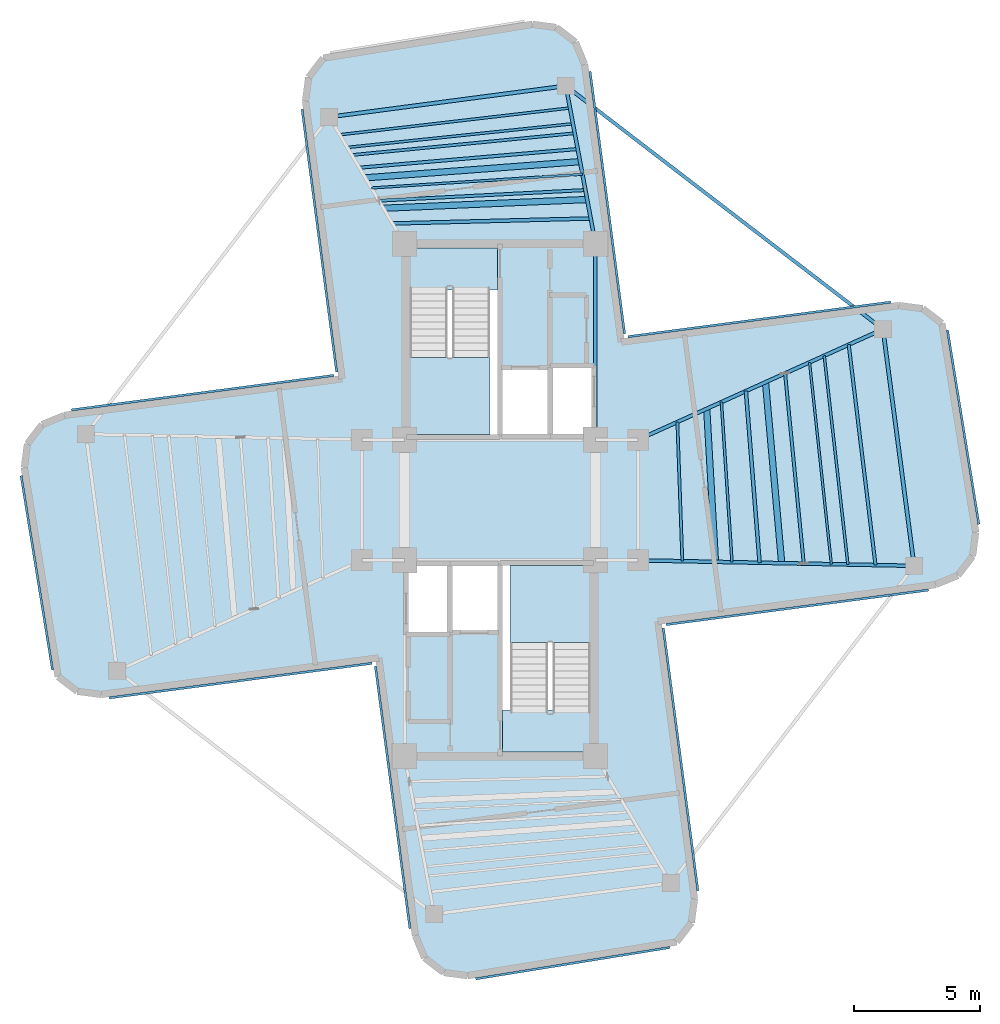
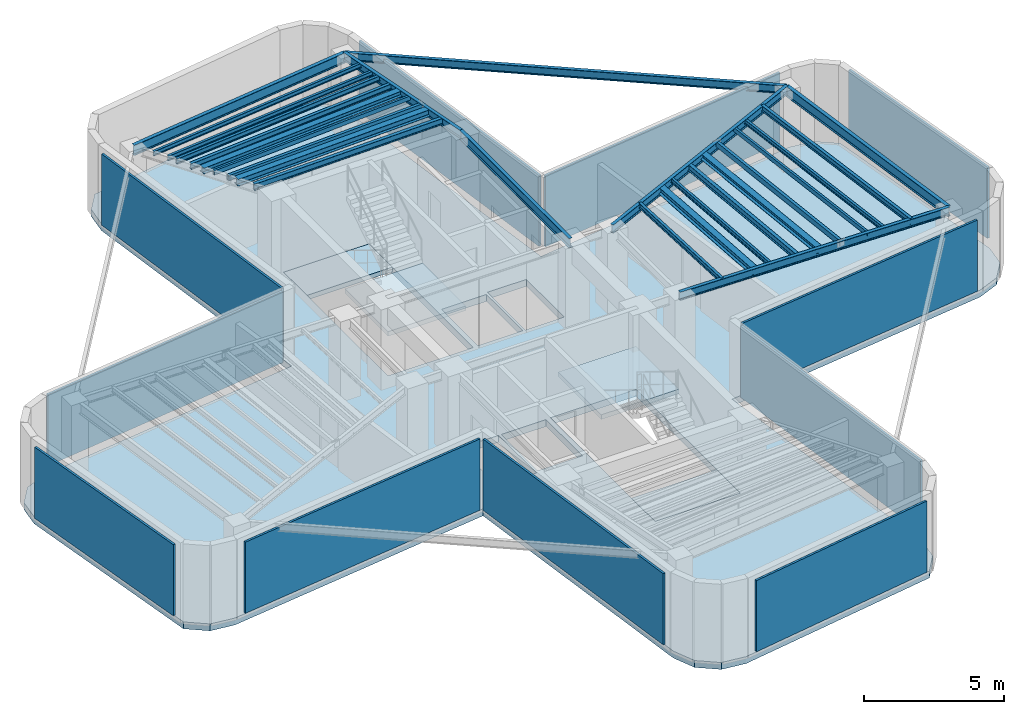
# One storey, part 2 of 6: 25 beams, 11 plates, 5 slabs, 2 elements without a shape of their own.
"""IFC4 building model written with IfcOpenShell, lengths in metres."""

from ifc_helpers import new_model, si_unit, direction, frame, origin, origin_2d, place, context, subcontext, project, spatial, polyline, rectangle, hollow_rectangle, i_section, outline, extrude, source, transform, mapped, material, layer, layer_set, material_profile, profile_set, type_object, element, aggregate, save


model = new_model("IFC4")

# Units and contexts
model_context = context("Model", 3, precision=1e-05, world=origin(), true_north=direction((0.0, 1.0)))
body_context = subcontext(model_context, "Body", "Model", "MODEL_VIEW")
ifc_project = project(units=[si_unit("LENGTHUNIT", "METRE"), si_unit("AREAUNIT", "SQUARE_METRE"), si_unit("VOLUMEUNIT", "CUBIC_METRE"), si_unit("PLANEANGLEUNIT", "RADIAN"), si_unit("MASSUNIT", "GRAM", prefix="KILO")], contexts=[model_context])

# Site, building, storey
site_placement = place(None, origin())
site = spatial("IfcSite", under=ifc_project, at=site_placement, CompositionType="ELEMENT")
building_placement = place(site_placement, origin())
building = spatial("IfcBuilding", under=site, at=building_placement, Name="Sahyath Konkavel Grand Hotel", CompositionType="ELEMENT")
storey_placement = place(building_placement, frame((0.0, 0.0, 285.10009765625)))
storey = spatial("IfcBuildingStorey", under=building, at=storey_placement, Name="L79", CompositionType="ELEMENT", Elevation=285.10009765625)

# Beams
ifc_material_1 = material(Name="Steel E350", Category="steel")
ifc_material_profile_1 = material_profile(ifc_material_1, i_section(OverallWidth=0.139892578125, OverallDepth=0.39990234375, WebThickness=0.0087890625, FlangeThickness=0.01611328125, FilletRadius=0.013916015625, at=origin_2d()), Name="ISMB 400")
ifc_profile_set_1 = profile_set([ifc_material_profile_1], Name="Steel E350")
beam_type_1 = type_object("IfcBeamType", Name="BM-ISMB400", PredefinedType="BEAM", material=ifc_profile_set_1)
shared_shape_1 = source(origin(), body_context, "Body", "SweptSolid", [
    extrude(i_section(OverallWidth=0.139892578125, OverallDepth=0.39990234375, WebThickness=0.0087890625, FlangeThickness=0.01611328125, FilletRadius=0.013916015625, at=origin_2d()), origin(), (0.0, 0.0, 1.0), 7.800048828125),
])
beam_1_placement = place(storey_placement, frame((3.800048828125, 2.39990234375, 3.2998046875), z_axis=(0.0, 1.0, 0.0), x_axis=(-1.0, 0.0, 0.0)))
element("IfcBeam", 1, at=beam_1_placement, inside=storey, type_object=beam_type_1, Name="str:bm:L79:NC-E", PredefinedType="BEAM", context=body_context, shape_type="MappedRepresentation", body=[
    mapped(shared_shape_1, transform((0.0, 0.0, 0.0), scale=1.0)),
])
ifc_material_profile_2 = material_profile(ifc_material_1, i_section(OverallWidth=0.14990234375, OverallDepth=0.449951171875, WebThickness=0.009521484375, FlangeThickness=0.017333984375, FilletRadius=0.014892578125, at=origin_2d()), Name="ISMB 450")
ifc_profile_set_2 = profile_set([ifc_material_profile_2], Name="Steel E350")
beam_type_2 = type_object("IfcBeamType", Name="BM-ISMB450", PredefinedType="BEAM", material=ifc_profile_set_2)
shared_shape_2 = source(origin(), body_context, "Body", "SweptSolid", [
    extrude(i_section(OverallWidth=0.14990234375, OverallDepth=0.449951171875, WebThickness=0.009521484375, FlangeThickness=0.017333984375, FilletRadius=0.014892578125, at=origin_2d()), origin(), (0.0, 0.0, 1.0), 9.5),
])
for number, where, z_axis, x_axis, name in (
    (2, (16.483154296875, -2.620849609375, 3.27490234375), (-0.130525643939, 0.991444933556, 0.0), (-0.991444933556, -0.130525643939, 0.0), "L79 Wing Tip Edge Beam E"),
    (3, (2.620849609375, 16.483154296875, 3.27490234375), (-0.991444933556, -0.130525643939, 0.0), (0.130525643939, -0.991444933556, 0.0), "L79 Wing Tip Edge Beam N"),
):
    element("IfcBeam", number, at=place(storey_placement, frame(where, z_axis=z_axis, x_axis=x_axis)), inside=storey, type_object=beam_type_2, Name=name, PredefinedType="BEAM", context=body_context, shape_type="MappedRepresentation", body=[
        mapped(shared_shape_2, transform((0.0, 0.0, 0.0), scale=1.0)),
    ])
ifc_material_profile_3 = material_profile(ifc_material_1, i_section(OverallWidth=0.139892578125, OverallDepth=0.35009765625, WebThickness=0.008056640625, FlangeThickness=0.01416015625, FilletRadius=0.013916015625, at=origin_2d()), Name="ISMB 350")
ifc_profile_set_3 = profile_set([ifc_material_profile_3], Name="Steel E350")
beam_type_3 = type_object("IfcBeamType", Name="BM-ISMB350", PredefinedType="BEAM", material=ifc_profile_set_3)
shared_shape_3 = source(origin(), body_context, "Body", "SweptSolid", [
    extrude(i_section(OverallWidth=0.139892578125, OverallDepth=0.35009765625, WebThickness=0.008056640625, FlangeThickness=0.01416015625, FilletRadius=0.013916015625, at=origin_2d()), origin(), (0.0, 0.0, 1.0), 10.9853515625),
])
beam_2_placement = place(storey_placement, frame((5.5, -2.39990234375, 3.324951171875), z_axis=(0.999797716106, -0.020112853337, 0.0), x_axis=(0.020112853337, 0.999797716106, 0.0)))
element("IfcBeam", 4, at=beam_2_placement, inside=storey, type_object=beam_type_3, Name="L79 Cruciform Radial Girder EA", PredefinedType="BEAM", context=body_context, shape_type="MappedRepresentation", body=[
    mapped(shared_shape_3, transform((0.0, 0.0, 0.0), scale=1.0)),
])
shared_shape_4 = source(origin(), body_context, "Body", "SweptSolid", [
    extrude(i_section(OverallWidth=0.139892578125, OverallDepth=0.35009765625, WebThickness=0.008056640625, FlangeThickness=0.01416015625, FilletRadius=0.013916015625, at=origin_2d()), origin(), (0.0, 0.0, 1.0), 10.689697265625),
])
beam_3_placement = place(storey_placement, frame((5.5, 2.39990234375, 3.324951171875), z_axis=(0.911447410295, 0.411416599405, 0.0), x_axis=(-0.411416599405, 0.911447410295, 0.0)))
element("IfcBeam", 5, at=beam_3_placement, inside=storey, type_object=beam_type_3, Name="L79 Cruciform Radial Girder EB", PredefinedType="BEAM", context=body_context, shape_type="MappedRepresentation", body=[
    mapped(shared_shape_4, transform((0.0, 0.0, 0.0), scale=1.0)),
])
shared_shape_5 = source(origin(), body_context, "Body", "SweptSolid", [
    extrude(i_section(OverallWidth=0.139892578125, OverallDepth=0.35009765625, WebThickness=0.008056640625, FlangeThickness=0.01416015625, FilletRadius=0.013916015625, at=origin_2d()), origin(), (0.0, 0.0, 1.0), 6.392822265625),
])
beam_4_placement = place(storey_placement, frame((3.800048828125, 10.199951171875, 3.324951171875), z_axis=(-0.184454547999, 0.982841044993, 0.0), x_axis=(-0.982841044993, -0.184454547999, 0.0)))
element("IfcBeam", 6, at=beam_4_placement, inside=storey, type_object=beam_type_3, Name="L79 Cruciform Radial Girder NA", PredefinedType="BEAM", context=body_context, shape_type="MappedRepresentation", body=[
    mapped(shared_shape_5, transform((0.0, 0.0, 0.0), scale=1.0)),
])
shared_shape_6 = source(origin(), body_context, "Body", "SweptSolid", [
    extrude(i_section(OverallWidth=0.139892578125, OverallDepth=0.35009765625, WebThickness=0.008056640625, FlangeThickness=0.01416015625, FilletRadius=0.013916015625, at=origin_2d()), origin(), (0.0, 0.0, 1.0), 15.909912109375),
])
beam_5_placement = place(storey_placement, frame((15.2431640625, 6.7978515625, 3.324951171875), z_axis=(-0.79335758392, 0.608755898564, 0.0), x_axis=(-0.608755898564, -0.79335758392, 0.0)))
element("IfcBeam", 7, at=beam_5_placement, inside=storey, type_object=beam_type_3, Name="L79 Re-Entrant Tie Beam NE", PredefinedType="BEAM", context=body_context, shape_type="MappedRepresentation", body=[
    mapped(shared_shape_6, transform((0.0, 0.0, 0.0), scale=1.0)),
])
ifc_material_profile_4 = material_profile(ifc_material_1, i_section(OverallWidth=0.25, OverallDepth=0.300048828125, WebThickness=0.009521484375, FlangeThickness=0.010498046875, FilletRadius=0.010986328125, at=origin_2d()), Name="ISHB 300")
ifc_profile_set_4 = profile_set([ifc_material_profile_4], Name="Steel E350")
beam_type_4 = type_object("IfcBeamType", Name="BM-ISHB300", PredefinedType="BEAM", material=ifc_profile_set_4)
shared_shape_7 = source(origin(), body_context, "Body", "SweptSolid", [
    extrude(i_section(OverallWidth=0.25, OverallDepth=0.300048828125, WebThickness=0.009521484375, FlangeThickness=0.010498046875, FilletRadius=0.010986328125, at=origin_2d()), origin(), (0.0, 0.0, 1.0), 6.10302734375),
])
beam_6_placement = place(storey_placement, frame((8.5751953125, -2.4619140625, 3.349853515625), z_axis=(-0.056883465537, 0.99838082481, 0.0), x_axis=(-0.99838082481, -0.056883465537, 0.0)))
element("IfcBeam", 8, at=beam_6_placement, inside=storey, type_object=beam_type_4, Name="L79 Secondary Floor Beam E-1", PredefinedType="BEAM", context=body_context, shape_type="MappedRepresentation", body=[
    mapped(shared_shape_7, transform((0.0, 0.0, 0.0), scale=1.0)),
])
ifc_material_profile_5 = material_profile(ifc_material_1, i_section(OverallWidth=0.25, OverallDepth=0.25, WebThickness=0.0087890625, FlangeThickness=0.009765625, FilletRadius=0.010009765625, at=origin_2d()), Name="ISHB 250")
ifc_profile_set_5 = profile_set([ifc_material_profile_5], Name="Steel E350")
beam_type_5 = type_object("IfcBeamType", Name="BM-ISHB250", PredefinedType="BEAM", material=ifc_profile_set_5)
shared_shape_8 = source(origin(), body_context, "Body", "SweptSolid", [
    extrude(i_section(OverallWidth=0.25, OverallDepth=0.25, WebThickness=0.0087890625, FlangeThickness=0.009765625, FilletRadius=0.010009765625, at=origin_2d()), origin(), (0.0, 0.0, 1.0), 7.230712890625),
])
beam_7_placement = place(storey_placement, frame((11.211181640625, -2.514892578125, 3.375), z_axis=(-0.089171800482, 0.996016259907, 0.0), x_axis=(-0.996016259907, -0.089171800482, 0.0)))
element("IfcBeam", 9, at=beam_7_placement, inside=storey, type_object=beam_type_5, Name="L79 Secondary Floor Beam E-2", PredefinedType="BEAM", context=body_context, shape_type="MappedRepresentation", body=[
    mapped(shared_shape_8, transform((0.0, 0.0, 0.0), scale=1.0)),
])
ifc_material_profile_6 = material_profile(ifc_material_1, i_section(OverallWidth=0.10009765625, OverallDepth=0.199951171875, WebThickness=0.005615234375, FlangeThickness=0.0107421875, FilletRadius=0.010986328125, at=origin_2d()), Name="ISMB 200")
ifc_profile_set_6 = profile_set([ifc_material_profile_6], Name="Steel E350")
beam_type_6 = type_object("IfcBeamType", Name="BM-ISMB200", PredefinedType="BEAM", material=ifc_profile_set_6)
shared_shape_9 = source(origin(), body_context, "Body", "SweptSolid", [
    extrude(i_section(OverallWidth=0.10009765625, OverallDepth=0.199951171875, WebThickness=0.005615234375, FlangeThickness=0.0107421875, FilletRadius=0.010986328125, at=origin_2d()), origin(), (0.0, 0.0, 1.0), 8.36328125),
])
beam_8_placement = place(storey_placement, frame((13.84716796875, -2.56787109375, 3.39990234375), z_axis=(-0.112680437677, 0.99363127918, 0.0), x_axis=(-0.99363127918, -0.112680437677, 0.0)))
element("IfcBeam", 10, at=beam_8_placement, inside=storey, type_object=beam_type_6, Name="L79 Secondary Floor Beam E-3", PredefinedType="BEAM", context=body_context, shape_type="MappedRepresentation", body=[
    mapped(shared_shape_9, transform((0.0, 0.0, 0.0), scale=1.0)),
])
shared_shape_10 = source(origin(), body_context, "Body", "SweptSolid", [
    extrude(i_section(OverallWidth=0.25, OverallDepth=0.300048828125, WebThickness=0.009521484375, FlangeThickness=0.010498046875, FilletRadius=0.010986328125, at=origin_2d()), origin(), (0.0, 0.0, 1.0), 8.11669921875),
])
beam_9_placement = place(storey_placement, frame((3.469970703125, 11.959228515625, 3.349853515625), z_axis=(-0.999084879956, -0.042771516718, 0.0), x_axis=(0.042771516718, -0.999084879956, 0.0)))
element("IfcBeam", 11, at=beam_9_placement, inside=storey, type_object=beam_type_4, Name="L79 Secondary Floor Beam N-1", PredefinedType="BEAM", context=body_context, shape_type="MappedRepresentation", body=[
    mapped(shared_shape_10, transform((0.0, 0.0, 0.0), scale=1.0)),
])
shared_shape_11 = source(origin(), body_context, "Body", "SweptSolid", [
    extrude(i_section(OverallWidth=0.25, OverallDepth=0.25, WebThickness=0.0087890625, FlangeThickness=0.009765625, FilletRadius=0.010009765625, at=origin_2d()), origin(), (0.0, 0.0, 1.0), 8.570068359375),
])
beam_10_placement = place(storey_placement, frame((3.18701171875, 13.46728515625, 3.375), z_axis=(-0.997165854664, -0.075234688098, 0.0), x_axis=(0.075234688098, -0.997165854664, 0.0)))
element("IfcBeam", 12, at=beam_10_placement, inside=storey, type_object=beam_type_5, Name="L79 Secondary Floor Beam N-2", PredefinedType="BEAM", context=body_context, shape_type="MappedRepresentation", body=[
    mapped(shared_shape_11, transform((0.0, 0.0, 0.0), scale=1.0)),
])
shared_shape_12 = source(origin(), body_context, "Body", "SweptSolid", [
    extrude(i_section(OverallWidth=0.10009765625, OverallDepth=0.199951171875, WebThickness=0.005615234375, FlangeThickness=0.0107421875, FilletRadius=0.010986328125, at=origin_2d()), origin(), (0.0, 0.0, 1.0), 9.031494140625),
])
beam_11_placement = place(storey_placement, frame((2.90380859375, 14.97509765625, 3.39990234375), z_axis=(-0.994541240043, -0.104344246869, 0.0), x_axis=(0.104344246869, -0.994541240043, 0.0)))
element("IfcBeam", 13, at=beam_11_placement, inside=storey, type_object=beam_type_6, Name="L79 Secondary Floor Beam N-3", PredefinedType="BEAM", context=body_context, shape_type="MappedRepresentation", body=[
    mapped(shared_shape_12, transform((0.0, 0.0, 0.0), scale=1.0)),
])
ifc_material_profile_7 = material_profile(ifc_material_1, i_section(OverallWidth=0.110107421875, OverallDepth=0.22509765625, WebThickness=0.006591796875, FlangeThickness=0.01171875, FilletRadius=0.011962890625, at=origin_2d()), Name="ISMB 225")
ifc_profile_set_7 = profile_set([ifc_material_profile_7], Name="Steel E350")
beam_type_7 = type_object("IfcBeamType", Name="BM-ISMB225", PredefinedType="BEAM", material=ifc_profile_set_7)
shared_shape_13 = source(origin(), body_context, "Body", "SweptSolid", [
    extrude(i_section(OverallWidth=0.110107421875, OverallDepth=0.22509765625, WebThickness=0.006591796875, FlangeThickness=0.01171875, FilletRadius=0.011962890625, at=origin_2d()), origin(), (0.0, 0.0, 1.0), 5.54248046875),
])
beam_12_placement = place(storey_placement, frame((7.25732421875, -2.435302734375, 3.387451171875), z_axis=(-0.035812512973, 0.999358526213, 0.0), x_axis=(-0.999358526213, -0.035812512973, 0.0)))
element("IfcBeam", 14, at=beam_12_placement, inside=storey, type_object=beam_type_7, Name="L79 Composite Deck Sub-Beam E-1", PredefinedType="BEAM", context=body_context, shape_type="MappedRepresentation", body=[
    mapped(shared_shape_13, transform((0.0, 0.0, 0.0), scale=1.0)),
])
shared_shape_14 = source(origin(), body_context, "Body", "SweptSolid", [
    extrude(i_section(OverallWidth=0.10009765625, OverallDepth=0.199951171875, WebThickness=0.005615234375, FlangeThickness=0.0107421875, FilletRadius=0.010986328125, at=origin_2d()), origin(), (0.0, 0.0, 1.0), 6.38427734375),
])
beam_13_placement = place(storey_placement, frame((9.234375, -2.47509765625, 3.39990234375), z_axis=(-0.066041839115, 0.997816854681, 0.0), x_axis=(-0.997816854681, -0.066041839115, 0.0)))
element("IfcBeam", 15, at=beam_13_placement, inside=storey, type_object=beam_type_6, Name="L79 Composite Deck Sub-Beam E-2", PredefinedType="BEAM", context=body_context, shape_type="MappedRepresentation", body=[
    mapped(shared_shape_14, transform((0.0, 0.0, 0.0), scale=1.0)),
])
ifc_material_profile_8 = material_profile(ifc_material_1, i_section(OverallWidth=0.139892578125, OverallDepth=0.27490234375, WebThickness=0.00634765625, FlangeThickness=0.0087890625, FilletRadius=0.012939453125, at=origin_2d()), Name="ISLB 275")
ifc_profile_set_8 = profile_set([ifc_material_profile_8], Name="Steel E350")
beam_type_8 = type_object("IfcBeamType", Name="BM-ISLB275", PredefinedType="BEAM", material=ifc_profile_set_8)
shared_shape_15 = source(origin(), body_context, "Body", "SweptSolid", [
    extrude(i_section(OverallWidth=0.139892578125, OverallDepth=0.27490234375, WebThickness=0.00634765625, FlangeThickness=0.0087890625, FilletRadius=0.012939453125, at=origin_2d()), origin(), (0.0, 0.0, 1.0), 6.85400390625),
])
beam_14_placement = place(storey_placement, frame((10.33251953125, -2.497314453125, 3.3623046875), z_axis=(-0.079575331875, 0.996828855199, 0.0), x_axis=(-0.996828855199, -0.079575331875, 0.0)))
element("IfcBeam", 16, at=beam_14_placement, inside=storey, type_object=beam_type_8, Name="L79 Composite Deck Sub-Beam E-3", PredefinedType="BEAM", context=body_context, shape_type="MappedRepresentation", body=[
    mapped(shared_shape_15, transform((0.0, 0.0, 0.0), scale=1.0)),
])
ifc_material_profile_9 = material_profile(ifc_material_1, hollow_rectangle(XDim=0.1201171875, YDim=0.219970703125, WallThickness=0.010009765625, at=origin_2d()), Name="RHS 220x120x10")
ifc_profile_set_9 = profile_set([ifc_material_profile_9], Name="Steel E350")
beam_type_9 = type_object("IfcBeamType", Name="BM-RHS220", PredefinedType="BEAM", material=ifc_profile_set_9)
shared_shape_16 = source(origin(), body_context, "Body", "SweptSolid", [
    extrude(hollow_rectangle(XDim=0.1201171875, YDim=0.219970703125, WallThickness=0.010009765625, at=origin_2d()), origin(), (0.0, 0.0, 1.0), 7.607666015625),
])
beam_15_placement = place(storey_placement, frame((12.08984375, -2.532470703125, 3.389892578125), z_axis=(-0.09778145576, 0.995207911398, 0.0), x_axis=(-0.995207911398, -0.09778145576, 0.0)))
element("IfcBeam", 17, at=beam_15_placement, inside=storey, type_object=beam_type_9, Name="L79 Composite Deck Sub-Beam E-4", PredefinedType="BEAM", context=body_context, shape_type="MappedRepresentation", body=[
    mapped(shared_shape_16, transform((0.0, 0.0, 0.0), scale=1.0)),
])
ifc_material_profile_10 = material_profile(ifc_material_1, hollow_rectangle(XDim=0.090087890625, YDim=0.179931640625, WallThickness=0.008056640625, at=origin_2d()), Name="RHS 180x90x8")
ifc_profile_set_10 = profile_set([ifc_material_profile_10], Name="Steel E350")
beam_type_10 = type_object("IfcBeamType", Name="BM-RHS180", PredefinedType="BEAM", material=ifc_profile_set_10)
shared_shape_17 = source(origin(), body_context, "Body", "SweptSolid", [
    extrude(hollow_rectangle(XDim=0.090087890625, YDim=0.179931640625, WallThickness=0.008056640625, at=origin_2d()), origin(), (0.0, 0.0, 1.0), 8.079833984375),
])
beam_16_placement = place(storey_placement, frame((13.188232421875, -2.5546875, 3.409912109375), z_axis=(-0.107416459243, 0.994214113903, 0.0), x_axis=(-0.994214113903, -0.107416459243, 0.0)))
element("IfcBeam", 18, at=beam_16_placement, inside=storey, type_object=beam_type_10, Name="L79 Composite Deck Sub-Beam E-5", PredefinedType="BEAM", context=body_context, shape_type="MappedRepresentation", body=[
    mapped(shared_shape_17, transform((0.0, 0.0, 0.0), scale=1.0)),
])
ifc_material_profile_11 = material_profile(ifc_material_1, i_section(OverallWidth=0.125, OverallDepth=0.25, WebThickness=0.0068359375, FlangeThickness=0.012451171875, FilletRadius=0.012939453125, at=origin_2d()), Name="ISMB 250")
ifc_profile_set_11 = profile_set([ifc_material_profile_11], Name="Steel E350")
beam_type_11 = type_object("IfcBeamType", Name="BM-ISMB250", PredefinedType="BEAM", material=ifc_profile_set_11)
shared_shape_18 = source(origin(), body_context, "Body", "SweptSolid", [
    extrude(i_section(OverallWidth=0.125, OverallDepth=0.25, WebThickness=0.0068359375, FlangeThickness=0.012451171875, FilletRadius=0.012939453125, at=origin_2d()), origin(), (0.0, 0.0, 1.0), 8.8369140625),
])
beam_17_placement = place(storey_placement, frame((14.945556640625, -2.590087890625, 3.375), z_axis=(-0.120677894343, 0.992691717411, 0.0), x_axis=(-0.992691717411, -0.120677894343, 0.0)))
element("IfcBeam", 19, at=beam_17_placement, inside=storey, type_object=beam_type_11, Name="L79 Composite Deck Sub-Beam E-6", PredefinedType="BEAM", context=body_context, shape_type="MappedRepresentation", body=[
    mapped(shared_shape_18, transform((0.0, 0.0, 0.0), scale=1.0)),
])
shared_shape_19 = source(origin(), body_context, "Body", "SweptSolid", [
    extrude(i_section(OverallWidth=0.139892578125, OverallDepth=0.27490234375, WebThickness=0.00634765625, FlangeThickness=0.0087890625, FilletRadius=0.012939453125, at=origin_2d()), origin(), (0.0, 0.0, 1.0), 7.893310546875),
])
beam_18_placement = place(storey_placement, frame((3.611328125, 11.205322265625, 3.3623046875), z_axis=(-0.999683790083, -0.025145970772, 0.0), x_axis=(0.025145970772, -0.999683790083, 0.0)))
element("IfcBeam", 20, at=beam_18_placement, inside=storey, type_object=beam_type_8, Name="L79 Composite Deck Sub-Beam N-1", PredefinedType="BEAM", context=body_context, shape_type="MappedRepresentation", body=[
    mapped(shared_shape_19, transform((0.0, 0.0, 0.0), scale=1.0)),
])
shared_shape_20 = source(origin(), body_context, "Body", "SweptSolid", [
    extrude(hollow_rectangle(XDim=0.1201171875, YDim=0.219970703125, WallThickness=0.010009765625, at=origin_2d()), origin(), (0.0, 0.0, 1.0), 8.229248046875),
])
beam_19_placement = place(storey_placement, frame((3.399169921875, 12.336181640625, 3.389892578125), z_axis=(-0.998688130329, -0.051205647534, 0.0), x_axis=(0.051205647534, -0.998688130329, 0.0)))
element("IfcBeam", 21, at=beam_19_placement, inside=storey, type_object=beam_type_9, Name="L79 Composite Deck Sub-Beam N-2", PredefinedType="BEAM", context=body_context, shape_type="MappedRepresentation", body=[
    mapped(shared_shape_20, transform((0.0, 0.0, 0.0), scale=1.0)),
])
shared_shape_21 = source(origin(), body_context, "Body", "SweptSolid", [
    extrude(hollow_rectangle(XDim=0.090087890625, YDim=0.179931640625, WallThickness=0.008056640625, at=origin_2d()), origin(), (0.0, 0.0, 1.0), 8.41796875),
])
beam_20_placement = place(storey_placement, frame((3.28125, 12.964599609375, 3.409912109375), z_axis=(-0.997896901011, -0.064821099595, 0.0), x_axis=(0.064821099595, -0.997896901011, 0.0)))
element("IfcBeam", 22, at=beam_20_placement, inside=storey, type_object=beam_type_10, Name="L79 Composite Deck Sub-Beam N-3", PredefinedType="BEAM", context=body_context, shape_type="MappedRepresentation", body=[
    mapped(shared_shape_21, transform((0.0, 0.0, 0.0), scale=1.0)),
])
shared_shape_22 = source(origin(), body_context, "Body", "SweptSolid", [
    extrude(i_section(OverallWidth=0.125, OverallDepth=0.25, WebThickness=0.0068359375, FlangeThickness=0.012451171875, FilletRadius=0.012939453125, at=origin_2d()), origin(), (0.0, 0.0, 1.0), 8.722900390625),
])
beam_21_placement = place(storey_placement, frame((3.092529296875, 13.969970703125, 3.375), z_axis=(-0.996354605721, -0.085308262542, 0.0), x_axis=(0.085308262542, -0.996354605721, 0.0)))
element("IfcBeam", 23, at=beam_21_placement, inside=storey, type_object=beam_type_11, Name="L79 Composite Deck Sub-Beam N-4", PredefinedType="BEAM", context=body_context, shape_type="MappedRepresentation", body=[
    mapped(shared_shape_22, transform((0.0, 0.0, 0.0), scale=1.0)),
])
shared_shape_23 = source(origin(), body_context, "Body", "SweptSolid", [
    extrude(i_section(OverallWidth=0.110107421875, OverallDepth=0.22509765625, WebThickness=0.006591796875, FlangeThickness=0.01171875, FilletRadius=0.011962890625, at=origin_2d()), origin(), (0.0, 0.0, 1.0), 8.915283203125),
])
beam_22_placement = place(storey_placement, frame((2.974609375, 14.59814453125, 3.387451171875), z_axis=(-0.995250138935, -0.097350711092, 0.0), x_axis=(0.097350711092, -0.995250138935, 0.0)))
element("IfcBeam", 24, at=beam_22_placement, inside=storey, type_object=beam_type_7, Name="L79 Composite Deck Sub-Beam N-5", PredefinedType="BEAM", context=body_context, shape_type="MappedRepresentation", body=[
    mapped(shared_shape_23, transform((0.0, 0.0, 0.0), scale=1.0)),
])
shared_shape_24 = source(origin(), body_context, "Body", "SweptSolid", [
    extrude(i_section(OverallWidth=0.10009765625, OverallDepth=0.199951171875, WebThickness=0.005615234375, FlangeThickness=0.0107421875, FilletRadius=0.010986328125, at=origin_2d()), origin(), (0.0, 0.0, 1.0), 9.225830078125),
])
beam_23_placement = place(storey_placement, frame((2.785888671875, 15.603515625, 3.39990234375), z_axis=(-0.993297209422, -0.115588294191, 0.0), x_axis=(0.115588294191, -0.993297209422, 0.0)))
element("IfcBeam", 25, at=beam_23_placement, inside=storey, type_object=beam_type_6, Name="L79 Composite Deck Sub-Beam N-6", PredefinedType="BEAM", context=body_context, shape_type="MappedRepresentation", body=[
    mapped(shared_shape_24, transform((0.0, 0.0, 0.0), scale=1.0)),
])

# Slab
ifc_material_2 = material(Name="Concrete C40/50", Category="concrete")
ifc_layer_1 = layer(ifc_material_2, 0.300048828125)
ifc_layer_set_1 = layer_set([ifc_layer_1], Name="Concrete C40/50")
slab_type_1 = type_object("IfcSlabType", Name="SLB-300", PredefinedType="FLOOR", material=ifc_layer_set_1)
slab_1_placement = place(storey_placement, frame((0.0, 0.0, -0.300048828125)))
element("IfcSlab", 26, at=slab_1_placement, inside=storey, type_object=slab_type_1, Name="L79 Structural Floor Slab", PredefinedType="FLOOR", context=body_context, shape_type="SweptSolid", body=[
    extrude(outline(polyline([(6.282958984375, -4.821044921875), (17.337646484375, -3.36572265625), (18.222412109375, -2.999267578125), (18.805419921875, -2.239501953125), (18.930419921875, -1.2900390625), (17.5849609375, 7.030517578125), (16.8251953125, 7.61328125), (15.875732421875, 7.73828125), (4.821044921875, 6.282958984375), (3.36572265625, 17.337646484375), (2.999267578125, 18.222412109375), (2.239501953125, 18.805419921875), (1.2900390625, 18.930419921875), (-7.030517578125, 17.5849609375), (-7.61328125, 16.8251953125), (-7.73828125, 15.875732421875), (-6.282958984375, 4.821044921875), (-17.337646484375, 3.36572265625), (-18.222412109375, 2.999267578125), (-18.805419921875, 2.239501953125), (-18.930419921875, 1.2900390625), (-17.5849609375, -7.030517578125), (-16.8251953125, -7.61328125), (-15.875732421875, -7.73828125), (-4.821044921875, -6.282958984375), (-3.36572265625, -17.337646484375), (-2.999267578125, -18.222412109375), (-2.239501953125, -18.805419921875), (-1.2900390625, -18.930419921875), (7.030517578125, -17.5849609375), (7.61328125, -16.8251953125), (7.73828125, -15.875732421875), (6.282958984375, -4.821044921875)]), holes=[polyline([(-3.6201171875, 2.580078125), (-0.10009765625, 2.580078125), (-0.10009765625, 10.02001953125), (-3.6201171875, 10.02001953125), (-3.6201171875, 2.580078125)]), polyline([(0.10009765625, -10.02001953125), (3.6201171875, -10.02001953125), (3.6201171875, -2.580078125), (0.10009765625, -2.580078125), (0.10009765625, -10.02001953125)]), polyline([(0.10009765625, 2.60009765625), (1.949951171875, 2.60009765625), (1.949951171875, 5.199951171875), (0.10009765625, 5.199951171875), (0.10009765625, 2.60009765625)]), polyline([(-1.949951171875, -5.199951171875), (-0.10009765625, -5.199951171875), (-0.10009765625, -2.60009765625), (-1.949951171875, -2.60009765625), (-1.949951171875, -5.199951171875)]), polyline([(2.050048828125, 2.60009765625), (3.64990234375, 2.60009765625), (3.64990234375, 5.300048828125), (2.050048828125, 5.300048828125), (2.050048828125, 2.60009765625)]), polyline([(-3.64990234375, -5.300048828125), (-2.050048828125, -5.300048828125), (-2.050048828125, -2.60009765625), (-3.64990234375, -2.60009765625), (-3.64990234375, -5.300048828125)])]), origin(), (0.0, 0.0, 1.0), 0.300048828125),
])

# Stair, slab
stair_type = type_object("IfcStairType", Name="STR-ST16-380", PredefinedType="HALF_TURN_STAIR", material=ifc_material_2)
stair_1_placement = place(storey_placement, origin())
stair_1 = element("IfcStair", 27, at=stair_1_placement, inside=storey, type_object=stair_type, Name="L79 North Core Smokeproof Exit Stair ST-1", PredefinedType="HALF_TURN_STAIR")
ifc_layer_2 = layer(ifc_material_2, 0.199951171875)
ifc_layer_set_2 = layer_set([ifc_layer_2], Name="Concrete C40/50")
slab_type_2 = type_object("IfcSlabType", Name="SLB-STAIR-LND", PredefinedType="LANDING", material=ifc_layer_set_2)
slab_2_placement = place(storey_placement, frame((0.0, 0.0, 1.699951171875)))
slab_2 = element("IfcSlab", 28, at=slab_2_placement, type_object=slab_type_2, Name="ST-1 landing 1", PredefinedType="LANDING", context=body_context, shape_type="SweptSolid", body=[
    extrude(outline(polyline([(-3.60009765625, 5.679931640625), (-3.60009765625, 2.60009765625), (-0.39990234375, 2.60009765625), (-0.39990234375, 5.679931640625), (-3.60009765625, 5.679931640625)])), origin(), (0.0, 0.0, 1.0), 0.199951171875),
])
aggregate(stair_1, [slab_2])

stair_2_placement = place(storey_placement, origin())
stair_2 = element("IfcStair", 29, at=stair_2_placement, inside=storey, type_object=stair_type, Name="L79 South Core Smokeproof Exit Stair ST-2", PredefinedType="HALF_TURN_STAIR")
slab_3_placement = place(storey_placement, frame((0.0, 0.0, 1.699951171875)))
slab_3 = element("IfcSlab", 30, at=slab_3_placement, type_object=slab_type_2, Name="ST-2 landing 1", PredefinedType="LANDING", context=body_context, shape_type="SweptSolid", body=[
    extrude(outline(polyline([(3.60009765625, -5.679931640625), (3.60009765625, -2.60009765625), (0.39990234375, -2.60009765625), (0.39990234375, -5.679931640625), (3.60009765625, -5.679931640625)])), origin(), (0.0, 0.0, 1.0), 0.199951171875),
])
aggregate(stair_2, [slab_3])

# Slabs
slab_4_placement = place(storey_placement, frame((0.0, 0.0, -0.2001953125)))
element("IfcSlab", 31, at=slab_4_placement, inside=storey, type_object=slab_type_2, Name="L79 Stair ST-1 Floor Landing Slab", PredefinedType="LANDING", context=body_context, shape_type="SweptSolid", body=[
    extrude(outline(polyline([(-3.6201171875, 8.35009765625), (-0.10009765625, 8.35009765625), (-0.10009765625, 10.02001953125), (-3.6201171875, 10.02001953125), (-3.6201171875, 8.35009765625)])), origin(), (0.0, 0.0, 1.0), 0.2001953125),
])
slab_5_placement = place(storey_placement, frame((0.0, 0.0, -0.2001953125)))
element("IfcSlab", 32, at=slab_5_placement, inside=storey, type_object=slab_type_2, Name="L79 Stair ST-2 Floor Landing Slab", PredefinedType="LANDING", context=body_context, shape_type="SweptSolid", body=[
    extrude(outline(polyline([(0.10009765625, -10.02001953125), (3.6201171875, -10.02001953125), (3.6201171875, -8.35009765625), (0.10009765625, -8.35009765625), (0.10009765625, -10.02001953125)])), origin(), (0.0, 0.0, 1.0), 0.2001953125),
])

# Plates
ifc_material_3 = material(Name="Warm Buff Sandstone Perforated Cladding", Category="masonry")
ifc_layer_3 = layer(ifc_material_3, 0.090087890625)
ifc_layer_set_3 = layer_set([ifc_layer_3], Name="Warm Buff Sandstone Perforated Cladding")
plate_type = type_object("IfcPlateType", Name="PNL-CROWN-LOUVRE", PredefinedType="SHEET", material=ifc_layer_set_3)
shared_shape_25 = source(origin(), body_context, "Body", "SweptSolid", [
    extrude(rectangle(XDim=10.550048828125, YDim=0.090087890625, at=origin_2d()), origin(), (0.0, 0.0, 1.0), 3.10009765625),
])
for number, where, z_axis, x_axis, name in (
    (33, (11.833740234375, -4.27197265625, 0.199951171875), (0.0, 0.0, 1.0), (0.991444861374, 0.13052619222, 0.0), "L79 Crown Perforated Sandstone Louvre Screen 0"),
    (34, (10.324951171875, 7.189208984375, 0.199951171875), (0.0, 0.0, 1.0), (-0.991444861374, -0.13052619222, 0.0), "L79 Crown Perforated Sandstone Louvre Screen 7"),
    (35, (4.27197265625, 11.833740234375, 0.199951171875), (0.0, 0.0, 1.0), (-0.13052619222, 0.991444861374, 0.0), "L79 Crown Perforated Sandstone Louvre Screen 8"),
    (36, (-7.189208984375, 10.324951171875, 0.199951171875), (0.0, 0.0, 1.0), (0.13052619222, -0.991444861374, 0.0), "L79 Crown Perforated Sandstone Louvre Screen 15"),
    (37, (-11.833740234375, 4.27197265625, 0.199951171875), (0.0, 0.0, 1.0), (-0.991444861374, -0.13052619222, 0.0), "L79 Crown Perforated Sandstone Louvre Screen 16"),
    (38, (-10.324951171875, -7.189208984375, 0.199951171875), (0.0, 0.0, 1.0), (0.991444861374, 0.13052619222, 0.0), "L79 Crown Perforated Sandstone Louvre Screen 23"),
    (39, (-4.27197265625, -11.833740234375, 0.199951171875), (0.0, 0.0, 1.0), (0.13052619222, -0.991444861374, 0.0), "L79 Crown Perforated Sandstone Louvre Screen 24"),
    (40, (7.189208984375, -10.324951171875, 0.199951171875), (0.0, 0.0, 1.0), (-0.13052619222, 0.991444861374, 0.0), "L79 Crown Perforated Sandstone Louvre Screen 31"),
):
    element("IfcPlate", number, at=place(storey_placement, frame(where, z_axis=z_axis, x_axis=x_axis)), inside=storey, type_object=plate_type, Name=name, PredefinedType="SHEET", context=body_context, shape_type="MappedRepresentation", body=[
        mapped(shared_shape_25, transform((0.0, 0.0, 0.0), scale=1.0)),
    ])
shared_shape_26 = source(origin(), body_context, "Body", "SweptSolid", [
    extrude(rectangle(XDim=7.8291015625, YDim=0.090087890625, at=origin_2d()), origin(), (0.0, 0.0, 1.0), 3.10009765625),
])
for number, where, z_axis, x_axis, name in (
    (41, (18.435302734375, 2.89892578125, 0.199951171875), (0.0, 0.0, 1.0), (-0.159622750546, 0.987178088041, 0.0), "L79 Crown Perforated Sandstone Louvre Screen 4"),
    (42, (-18.435302734375, -2.89892578125, 0.199951171875), (0.0, 0.0, 1.0), (0.159622750546, -0.987178088041, 0.0), "L79 Crown Perforated Sandstone Louvre Screen 20"),
    (43, (2.89892578125, -18.435302734375, 0.199951171875), (0.0, 0.0, 1.0), (0.987178088041, 0.159622750546, 0.0), "L79 Crown Perforated Sandstone Louvre Screen 28"),
):
    element("IfcPlate", number, at=place(storey_placement, frame(where, z_axis=z_axis, x_axis=x_axis)), inside=storey, type_object=plate_type, Name=name, PredefinedType="SHEET", context=body_context, shape_type="MappedRepresentation", body=[
        mapped(shared_shape_26, transform((0.0, 0.0, 0.0), scale=1.0)),
    ])

save(model, "model.ifc")
